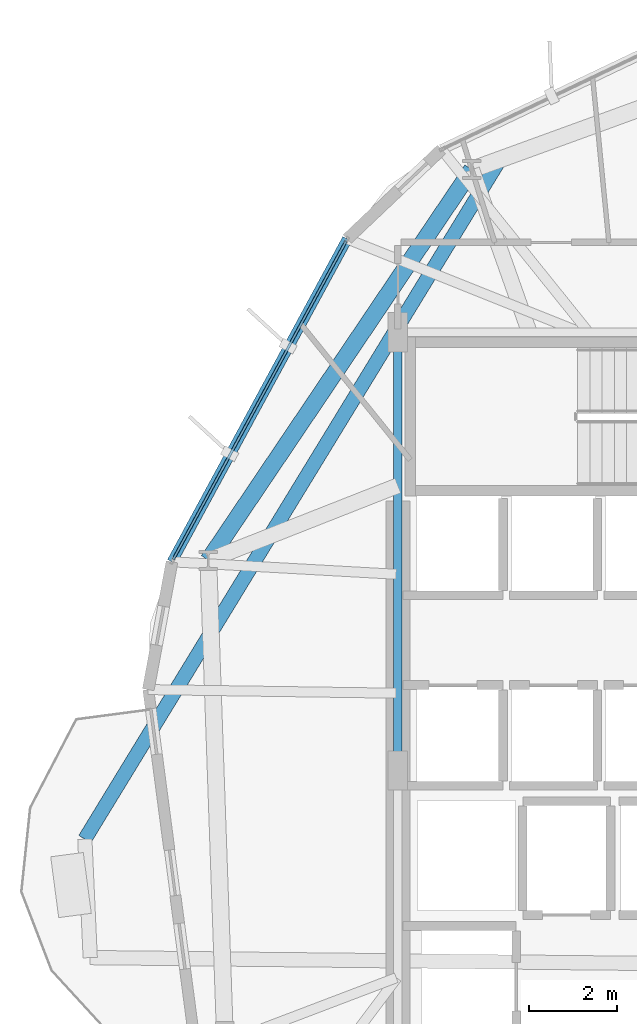
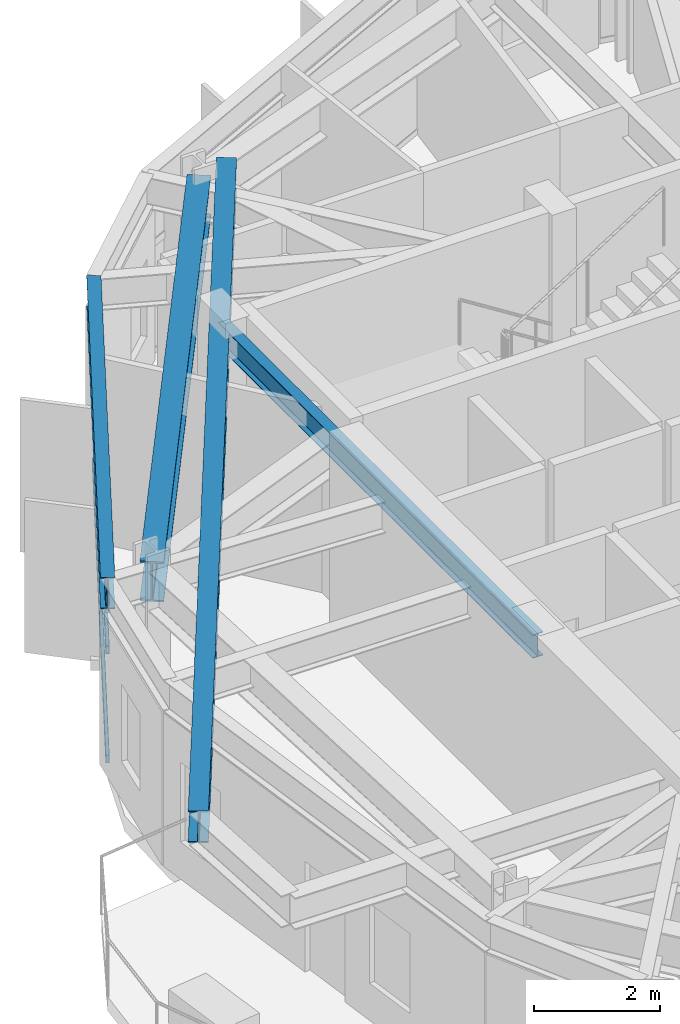
# One storey, part 9 of 25: 4 beams, 3 members, 1 element without a shape of its own.
"""IFC4 building model written with IfcOpenShell, lengths in metres."""

import ifcopenshell
import ifcopenshell.guid

model = None  # the IFC model being written
_history = None  # IfcOwnerHistory: only IFC2X3 demands one
_inside = {}  # id of a spatial element -> (the spatial element, [elements in it])
_under = {}  # id of a project, library or spatial element -> (it, [spatial elements below it])
_declared = {}  # id of a project -> (the project, [libraries it declares])
_typed = {}  # id of a type object -> (the type object, [elements of that type])
_made_of = {}  # id of a material, layer set ... -> (it, [elements and type objects made of it])


def new_model(schema):
    """Start an empty IFC model of exactly this schema.

    Asked for "IFC4X3", IfcOpenShell would pick the latest addendum, in which some entities
    have other attributes; the version numbers below select the first issue.
    IFC2X3 requires an IfcOwnerHistory on every rooted entity: one is made here for all.
    """
    global model, _history
    if schema == "IFC4X3":
        model = ifcopenshell.file(schema_version=(4, 3, 0, 0))
    else:
        model = ifcopenshell.file(schema=schema)
    _inside.clear()
    _under.clear()
    _declared.clear()
    _typed.clear()
    _made_of.clear()
    _history = None
    if model.schema == "IFC2X3":
        org = make("IfcOrganization", Name="unknown")
        user = make(
            "IfcPersonAndOrganization",
            ThePerson=make("IfcPerson", FamilyName="unknown"),
            TheOrganization=org,
        )
        app = make(
            "IfcApplication",
            ApplicationDeveloper=org,
            Version="unknown",
            ApplicationFullName="unknown",
            ApplicationIdentifier="unknown",
        )
        _history = make(
            "IfcOwnerHistory",
            OwningUser=user,
            OwningApplication=app,
            ChangeAction="ADDED",
            CreationDate=0,
        )
    return model


def make(cls, **values):
    """One entity of the class cls with the attributes given. An attribute that is None is left unset."""
    return model.create_entity(
        cls, **{name: value for name, value in values.items() if value is not None}
    )


def rooted(cls, **values):
    """An entity with a GlobalId (a new one), such as an element, a storey or a relation."""
    return make(cls, GlobalId=ifcopenshell.guid.new(), OwnerHistory=_history, **values)


def si_unit(unit_type, name, prefix=None):
    """IfcSIUnit, for example si_unit("LENGTHUNIT", "METRE", prefix="MILLI")."""
    return make("IfcSIUnit", UnitType=unit_type, Prefix=prefix, Name=name)


def assignment(units):
    """IfcUnitAssignment: the units of a project."""
    return None if units is None else make("IfcUnitAssignment", Units=units)


def point(xyz):
    """IfcCartesianPoint."""
    return None if xyz is None else make("IfcCartesianPoint", Coordinates=xyz)


def direction(xyz):
    """IfcDirection."""
    return None if xyz is None else make("IfcDirection", DirectionRatios=xyz)


def frame(location, z_axis=None, x_axis=None):
    """IfcAxis2Placement3D, a coordinate frame: its origin and axes. An axis left out is left unset."""
    return make(
        "IfcAxis2Placement3D",
        Location=point(location),
        Axis=direction(z_axis),
        RefDirection=direction(x_axis),
    )


def frame_2d(location, x_axis=None):
    """IfcAxis2Placement2D, a coordinate frame in the plane: its origin and x axis."""
    return make(
        "IfcAxis2Placement2D", Location=point(location), RefDirection=direction(x_axis)
    )


def origin():
    """The frame at (0, 0, 0) with its axes left unset."""
    return frame((0.0, 0.0, 0.0))


def origin_2d():
    """The frame at (0, 0) in the plane with its x axis left unset."""
    return frame_2d((0.0, 0.0))


def place(relative_to, where):
    """IfcLocalPlacement: puts the frame where relative to a parent placement (None: the world)."""
    return make(
        "IfcLocalPlacement", PlacementRelTo=relative_to, RelativePlacement=where
    )


def context(
    kind, dimensions, precision=None, world=None, true_north=None, identifier=None
):
    """IfcGeometricRepresentationContext, for example the 3D "Model" context."""
    return make(
        "IfcGeometricRepresentationContext",
        ContextIdentifier=identifier,
        ContextType=kind,
        CoordinateSpaceDimension=dimensions,
        Precision=precision,
        WorldCoordinateSystem=world,
        TrueNorth=true_north,
    )


def subcontext(parent, identifier, kind, view, scale=None):
    """IfcGeometricRepresentationSubContext, for example "Body" below "Model"."""
    return make(
        "IfcGeometricRepresentationSubContext",
        ContextIdentifier=identifier,
        ContextType=kind,
        ParentContext=parent,
        TargetScale=scale,
        TargetView=view,
    )


def project(units=None, contexts=None):
    """IfcProject with its units and contexts."""
    return rooted(
        "IfcProject",
        Name="project",
        RepresentationContexts=contexts,
        UnitsInContext=assignment(units),
    )


def spatial(cls, under=None, at=None, **own):
    """A site, building, storey or space (cls), placed at a placement, below another one or the project."""
    s = rooted(cls, ObjectPlacement=at, **own)
    if under is not None:
        _under.setdefault(under.id(), (under, []))[1].append(s)
    return s


def profile(cls, at=None, kind="AREA", **sizes):
    """A parametric profile (cls). Its sizes go by their IFC names, for example OverallWidth=200.0."""
    return make(cls, ProfileType=kind, Position=at, **sizes)


def hollow_rectangle(**sizes):
    """IfcRectangleHollowProfileDef."""
    return profile("IfcRectangleHollowProfileDef", **sizes)


def i_section(**sizes):
    """IfcIShapeProfileDef."""
    return profile("IfcIShapeProfileDef", **sizes)


def extrude(swept, where, along, depth):
    """IfcExtrudedAreaSolid: the profile swept, set in the frame where, extruded along a direction by depth."""
    return make(
        "IfcExtrudedAreaSolid",
        SweptArea=swept,
        Position=where,
        ExtrudedDirection=direction(along),
        Depth=depth,
    )


def shape(context_of_items, identifier, shape_type, items):
    """IfcShapeRepresentation: the items that make up one representation, for example the "Body"."""
    return make(
        "IfcShapeRepresentation",
        ContextOfItems=context_of_items,
        RepresentationIdentifier=identifier,
        RepresentationType=shape_type,
        Items=items,
    )


def material(Name=None, Category=None):
    """IfcMaterial."""
    return make("IfcMaterial", Name=Name, Category=Category)


def layer(
    of_material, thickness, ventilated=None, Name=None, Category=None, Priority=None
):
    """IfcMaterialLayer: one layer of a wall or slab, of a material (None: an air gap)."""
    return make(
        "IfcMaterialLayer",
        Material=of_material,
        LayerThickness=thickness,
        IsVentilated=ventilated,
        Name=Name,
        Category=Category,
        Priority=Priority,
    )


def layer_set(layers, Name=None):
    """IfcMaterialLayerSet."""
    return make("IfcMaterialLayerSet", MaterialLayers=layers, LayerSetName=Name)


def material_profile(
    of_material, cross_section, Name=None, Category=None, Priority=None
):
    """IfcMaterialProfile: a cross section and its material."""
    return make(
        "IfcMaterialProfile",
        Name=Name,
        Material=of_material,
        Profile=cross_section,
        Priority=Priority,
        Category=Category,
    )


def profile_set(profiles, Name=None, composite=None):
    """IfcMaterialProfileSet."""
    return make(
        "IfcMaterialProfileSet",
        Name=Name,
        MaterialProfiles=profiles,
        CompositeProfile=composite,
    )


def made_of(thing, what):
    """Note that an element or type object is made of a material, layer set ...; save() writes the relation."""
    if what is not None:
        _made_of.setdefault(what.id(), (what, []))[1].append(thing)
    return thing


def type_object(cls, material=None, **own):
    """A type object (cls), such as IfcWallType, which elements share."""
    return made_of(rooted(cls, **own), material)


def element(
    cls,
    number,
    at=None,
    inside=None,
    cuts=None,
    type_object=None,
    material=None,
    context=None,
    identifier="Body",
    shape_type=None,
    held_by="IfcProductDefinitionShape",
    body=None,
    shapes=None,
    **own,
):
    """One element of the class cls, such as IfcWall. Its Tag is "e" and its number.

    at: its placement. inside: the storey or other place that contains it. cuts: it is an
    opening in that element (IfcRelVoidsElement). A single representation is given by context,
    identifier, shape_type and body (its items); several are given by shapes. held_by: the class
    of the entity that holds the representations. save() writes the other relations.
    """
    e = rooted(cls, Tag="e%d" % number, ObjectPlacement=at, **own)
    if body is not None:
        shapes = [shape(context, identifier, shape_type, body)]
    if shapes is not None:
        e.Representation = make(held_by, Representations=shapes)
    if inside is not None:
        _inside.setdefault(inside.id(), (inside, []))[1].append(e)
    if cuts is not None:
        rooted(
            "IfcRelVoidsElement", RelatingBuildingElement=cuts, RelatedOpeningElement=e
        )
    if type_object is not None:
        _typed.setdefault(type_object.id(), (type_object, []))[1].append(e)
    return made_of(e, material)


def aggregate(whole, parts):
    """IfcRelAggregates: a whole, such as a stair, and the parts it consists of."""
    return rooted("IfcRelAggregates", RelatingObject=whole, RelatedObjects=parts)


def save(model, path):
    """Write the relations noted so far, then the file.

    IfcRelAggregates (storeys below a building ...), IfcRelContainedInSpatialStructure (elements
    in a storey), IfcRelDefinesByType, IfcRelAssociatesMaterial and IfcRelDeclares: one each for
    every whole, place, type object, material and project.
    """
    for whole, parts in _under.values():
        aggregate(whole, parts)
    for where, things in _inside.values():
        rooted(
            "IfcRelContainedInSpatialStructure",
            RelatedElements=things,
            RelatingStructure=where,
        )
    for kind, things in _typed.values():
        rooted("IfcRelDefinesByType", RelatedObjects=things, RelatingType=kind)
    for what, things in _made_of.values():
        rooted("IfcRelAssociatesMaterial", RelatedObjects=things, RelatingMaterial=what)
    for by, libraries in _declared.values():
        rooted("IfcRelDeclares", RelatingContext=by, RelatedDefinitions=libraries)
    model.write(path)


model = new_model("IFC4")

# Units and contexts
model_context = context("Model", 3, precision=1e-05, world=origin(), true_north=direction((0.0, 1.0)))
body_context = subcontext(model_context, "Body", "Model", "MODEL_VIEW")
ifc_project = project(units=[si_unit("LENGTHUNIT", "METRE"), si_unit("AREAUNIT", "SQUARE_METRE"), si_unit("VOLUMEUNIT", "CUBIC_METRE"), si_unit("PLANEANGLEUNIT", "RADIAN"), si_unit("MASSUNIT", "GRAM", prefix="KILO")], contexts=[model_context])

# Site, building, storey
site_placement = place(None, origin())
site = spatial("IfcSite", under=ifc_project, at=site_placement, CompositionType="ELEMENT")
building_placement = place(site_placement, origin())
building = spatial("IfcBuilding", under=site, at=building_placement, Name="Soratama Intermodal Tower", CompositionType="ELEMENT")
storey_placement = place(building_placement, frame((0.0, 0.0, 126.39990234375)))
storey = spatial("IfcBuildingStorey", under=building, at=storey_placement, Name="L30", CompositionType="ELEMENT", Elevation=126.39990234375)

# Beams
ifc_material_1 = material(Name="Structural steel ASTM A992 Grade 50", Category="steel")
ifc_material_profile_1 = material_profile(ifc_material_1, i_section(OverallWidth=0.324951171875, OverallDepth=0.615966796875, WebThickness=0.013916015625, FlangeThickness=0.021484375, FilletRadius=0.013916015625, at=origin_2d()), Name="W24X117")
ifc_profile_set_1 = profile_set([ifc_material_profile_1], Name="Structural steel ASTM A992 Grade 50")
beam_type_1 = type_object("IfcBeamType", Name="BM-CANT-W24X117", PredefinedType="BEAM", material=ifc_profile_set_1)
beam_1_placement = place(storey_placement, frame((34.909912109375, 38.912109375, 3.2919921875), z_axis=(-0.521227849478, -0.853417558366, 0.0), x_axis=(0.853417558366, -0.521227849478, 0.0)))
element("IfcBeam", 1, at=beam_1_placement, inside=storey, type_object=beam_type_1, Name="BM-L30-CANT-2-1", PredefinedType="BEAM", context=body_context, shape_type="SweptSolid", body=[
    extrude(i_section(OverallWidth=0.324951171875, OverallDepth=0.615966796875, WebThickness=0.013916015625, FlangeThickness=0.021484375, FilletRadius=0.013916015625, at=origin_2d()), origin(), (0.0, 0.0, 1.0), 18.1376953125),
])
ifc_material_2 = material(Name="Structural steel ASTM A992 Grade 50", Category="steel")
ifc_material_profile_2 = material_profile(ifc_material_2, i_section(OverallWidth=0.19091796875, OverallDepth=0.4599609375, WebThickness=0.010009765625, FlangeThickness=0.01611328125, FilletRadius=0.010986328125, at=origin_2d()), Name="W18X55")
ifc_profile_set_2 = profile_set([ifc_material_profile_2], Name="Structural steel ASTM A992 Grade 50")
beam_type_2 = type_object("IfcBeamType", Name="BM-FLR-W18X55", PredefinedType="BEAM", material=ifc_profile_set_2)
beam_2_placement = place(storey_placement, frame((32.60009765625, 35.0, 3.3701171875), z_axis=(0.0, -1.0, 0.0), x_axis=(1.0, 0.0, 0.0)))
element("IfcBeam", 2, at=beam_2_placement, inside=storey, type_object=beam_type_2, Name="BM-L30-CRING-08", PredefinedType="BEAM", context=body_context, shape_type="SweptSolid", body=[
    extrude(i_section(OverallWidth=0.19091796875, OverallDepth=0.4599609375, WebThickness=0.010009765625, FlangeThickness=0.01611328125, FilletRadius=0.010986328125, at=origin_2d()), origin(), (0.0, 0.0, 1.0), 10.0),
])
ifc_material_3 = material(Name="Structural steel ASTM A992 Grade 50", Category="steel")
ifc_material_profile_3 = material_profile(ifc_material_3, i_section(OverallWidth=0.382080078125, OverallDepth=0.779052734375, WebThickness=0.01806640625, FlangeThickness=0.030029296875, FilletRadius=0.01806640625, at=origin_2d()), Name="W30X191")
ifc_profile_set_3 = profile_set([ifc_material_profile_3], Name="Structural steel ASTM A992 Grade 50")
beam_type_3 = type_object("IfcBeamType", Name="BM-RING-W30X191", PredefinedType="BEAM", material=ifc_profile_set_3)
beam_3_placement = place(storey_placement, frame((34.2880859375, 38.7109375, 3.210693359375), z_axis=(-0.559249807749, -0.828999187293, 0.0), x_axis=(0.828999187293, -0.559249807749, 0.0)))
element("IfcBeam", 3, at=beam_3_placement, inside=storey, type_object=beam_type_3, Name="BM-L30-RING-04", PredefinedType="BEAM", context=body_context, shape_type="SweptSolid", body=[
    extrude(i_section(OverallWidth=0.382080078125, OverallDepth=0.779052734375, WebThickness=0.01806640625, FlangeThickness=0.030029296875, FilletRadius=0.01806640625, at=origin_2d()), origin(), (0.0, 0.0, 1.0), 10.75390625),
])
ifc_material_4 = material(Name="Structural steel ASTM A992 Grade 50", Category="steel")
ifc_material_profile_4 = material_profile(ifc_material_4, i_section(OverallWidth=0.22900390625, OverallDepth=0.612060546875, WebThickness=0.011962890625, FlangeThickness=0.01953125, FilletRadius=0.012939453125, at=origin_2d()), Name="W24X84")
ifc_profile_set_4 = profile_set([ifc_material_profile_4], Name="Structural steel ASTM A992 Grade 50")
beam_type_4 = type_object("IfcBeamType", Name="BM-SPN-W24X84", PredefinedType="SPANDREL", material=ifc_profile_set_4)
beam_4_placement = place(storey_placement, frame((31.444091796875, 37.1298828125, 3.294189453125), z_axis=(-0.477116925785, -0.878839825639, 0.0), x_axis=(0.878839825639, -0.477116925785, 0.0)))
element("IfcBeam", 4, at=beam_4_placement, inside=storey, type_object=beam_type_4, Name="BS-L30-F04", PredefinedType="SPANDREL", context=body_context, shape_type="SweptSolid", body=[
    extrude(i_section(OverallWidth=0.22900390625, OverallDepth=0.612060546875, WebThickness=0.011962890625, FlangeThickness=0.01953125, FilletRadius=0.012939453125, at=origin_2d()), origin(), (0.0, 0.0, 1.0), 8.3837890625),
])

# Curtain wall, members
ifc_material_5 = material(Name="Double-glazed aluminium curtain wall", Category="aluminium")
ifc_layer = layer(ifc_material_5, 0.159912109375)
ifc_layer_set = layer_set([ifc_layer], Name="Double-glazed aluminium curtain wall")
curtain_wall_type = type_object("IfcCurtainWallType", Name="CW-SYS-3", PredefinedType="NOTDEFINED", material=ifc_layer_set)
curtain_wall_placement = place(storey_placement, origin())
curtain_wall = element("IfcCurtainWall", 5, at=curtain_wall_placement, inside=storey, type_object=curtain_wall_type, Name="L30 Faceted Curtain Wall F04", PredefinedType="NOTDEFINED")
ifc_material_6 = material(Name="Anodised aluminium AA 6063-T6", Category="aluminium")
ifc_material_profile_5 = material_profile(ifc_material_6, hollow_rectangle(XDim=0.06494140625, YDim=0.14990234375, WallThickness=0.0048828125, InnerFilletRadius=0.0048828125, OuterFilletRadius=0.010009765625, at=origin_2d()), Name="CWT150X65X5")
ifc_profile_set_5 = profile_set([ifc_material_profile_5], Name="Anodised aluminium AA 6063-T6")
member_type = type_object("IfcMemberType", Name="TT-CWT-1", PredefinedType="USERDEFINED", material=ifc_profile_set_5)
member_1_placement = place(storey_placement, frame((31.415771484375, 37.0771484375, 0.030029296875), z_axis=(-0.477164230909, -0.87881414232, 0.0), x_axis=(0.87881414232, -0.477164230909, 0.0)))
member_1 = element("IfcMember", 6, at=member_1_placement, type_object=member_type, Name="CW-3 transom 1.1", ObjectType="TRANSOM", PredefinedType="USERDEFINED", context=body_context, shape_type="SweptSolid", body=[
    extrude(hollow_rectangle(XDim=0.06494140625, YDim=0.14990234375, WallThickness=0.0048828125, InnerFilletRadius=0.0048828125, OuterFilletRadius=0.010009765625, at=origin_2d()), origin(), (0.0, 0.0, 1.0), 8.263671875),
])
member_2_placement = place(storey_placement, frame((31.415771484375, 37.0771484375, 2.150146484375), z_axis=(-0.477164230909, -0.87881414232, 0.0), x_axis=(0.87881414232, -0.477164230909, 0.0)))
member_2 = element("IfcMember", 7, at=member_2_placement, type_object=member_type, Name="CW-3 transom 1.2", ObjectType="TRANSOM", PredefinedType="USERDEFINED", context=body_context, shape_type="SweptSolid", body=[
    extrude(hollow_rectangle(XDim=0.06494140625, YDim=0.14990234375, WallThickness=0.0048828125, InnerFilletRadius=0.0048828125, OuterFilletRadius=0.010009765625, at=origin_2d()), origin(), (0.0, 0.0, 1.0), 8.263671875),
])
member_3_placement = place(storey_placement, frame((31.415771484375, 37.0771484375, 2.94921875), z_axis=(-0.477164230909, -0.87881414232, 0.0), x_axis=(0.87881414232, -0.477164230909, 0.0)))
member_3 = element("IfcMember", 8, at=member_3_placement, type_object=member_type, Name="CW-3 transom 1.3", ObjectType="TRANSOM", PredefinedType="USERDEFINED", context=body_context, shape_type="SweptSolid", body=[
    extrude(hollow_rectangle(XDim=0.06494140625, YDim=0.14990234375, WallThickness=0.0048828125, InnerFilletRadius=0.0048828125, OuterFilletRadius=0.010009765625, at=origin_2d()), origin(), (0.0, 0.0, 1.0), 8.263671875),
])
aggregate(curtain_wall, [member_1, member_2, member_3])

save(model, "model.ifc")
